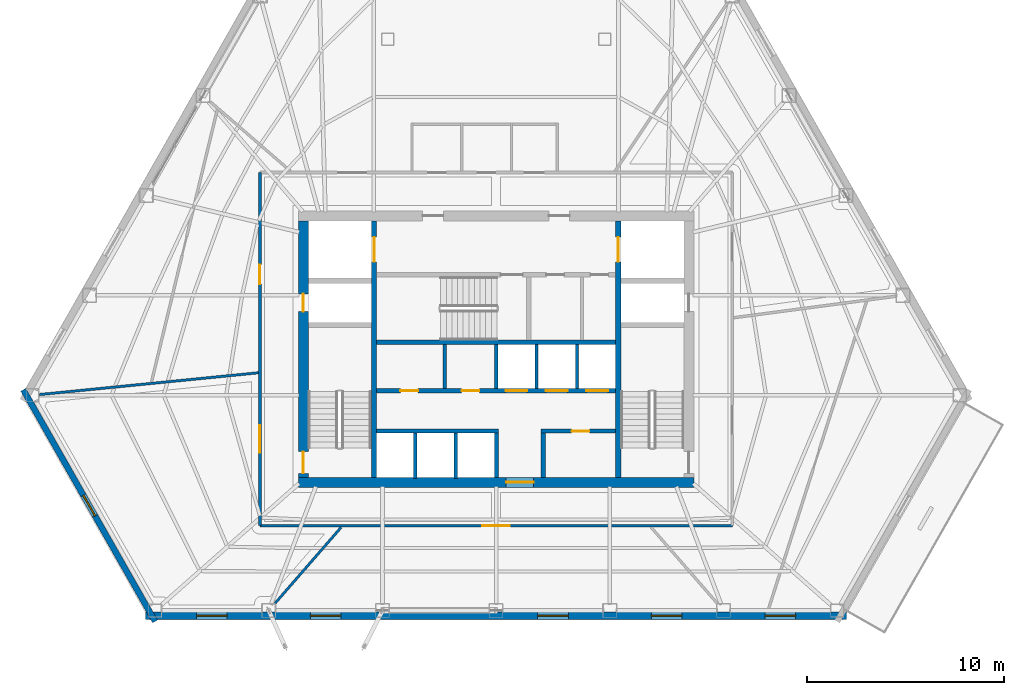
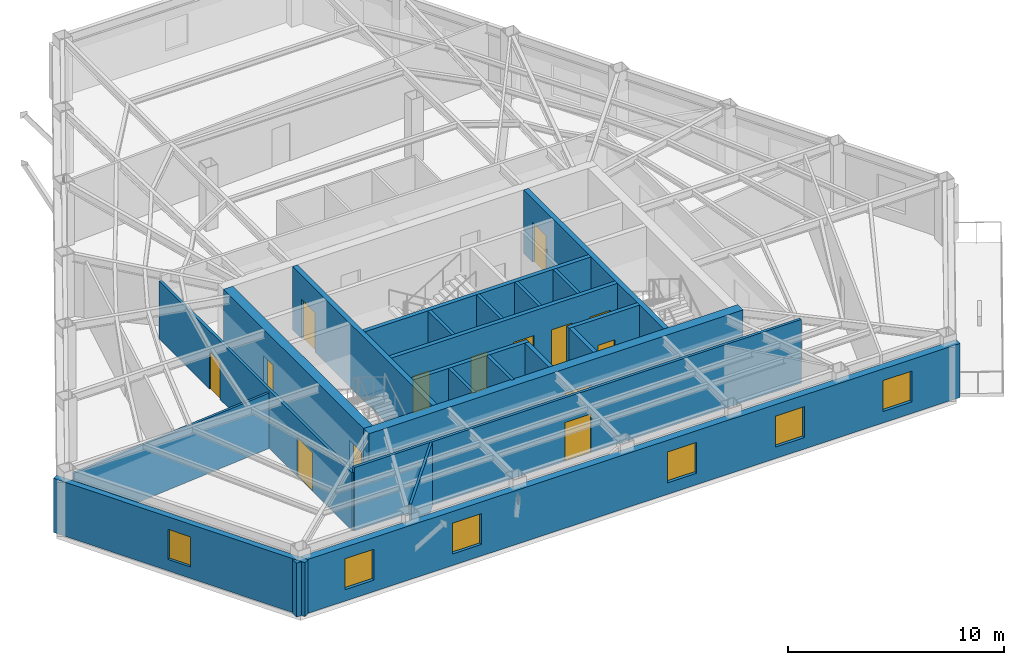
# One storey, part 7 of 12: 22 walls, 14 doors, 6 windows, 20 openings.
"""IFC4 building model written with IfcOpenShell, lengths in metres."""

from ifc_helpers import new_model, si_unit, direction, frame, frame_2d, origin, place, context, subcontext, project, spatial, rectangle, extrude, material, layer, layer_set, type_object, element, fill, save


model = new_model("IFC4")

# Units and contexts
model_context = context("Model", 3, precision=1e-05, world=origin(), true_north=direction((0.0, 1.0)))
body_context = subcontext(model_context, "Body", "Model", "MODEL_VIEW")
ifc_project = project(units=[si_unit("LENGTHUNIT", "METRE"), si_unit("AREAUNIT", "SQUARE_METRE"), si_unit("VOLUMEUNIT", "CUBIC_METRE"), si_unit("PLANEANGLEUNIT", "RADIAN"), si_unit("MASSUNIT", "GRAM", prefix="KILO")], contexts=[model_context])

# Site, building, storey
site_placement = place(None, origin())
site = spatial("IfcSite", under=ifc_project, at=site_placement, CompositionType="ELEMENT")
building_placement = place(site_placement, origin())
building = spatial("IfcBuilding", under=site, at=building_placement, Name="Kavelnor Concourse Tower", CompositionType="ELEMENT")
storey_placement = place(building_placement, frame((0.0, 0.0, 93.199951171875)))
storey = spatial("IfcBuildingStorey", under=building, at=storey_placement, Name="L23", CompositionType="ELEMENT", Elevation=93.199951171875)

# Wall, opening, door
ifc_material_1 = material(Name="Concrete C60/75", Category="concrete")
ifc_layer_1 = layer(ifc_material_1, 0.5, Name="Concrete C60/75")
ifc_layer_set_1 = layer_set([ifc_layer_1], Name="Concrete C60/75")
wall_type_1 = type_object("IfcWallType", Name="WL-CORE-Z2-500", PredefinedType="SOLIDWALL", material=ifc_layer_set_1)
wall_1_placement = place(storey_placement, frame((27.97998046875, 9.35009765625, 0.0), z_axis=(0.0, 0.0, 1.0), x_axis=(1.0, 0.0, 0.0)))
wall_1 = element("IfcWall", 1, at=wall_1_placement, inside=storey, type_object=wall_type_1, Name="L23 Central Core South Shear Wall", PredefinedType="SOLIDWALL", context=body_context, shape_type="SweptSolid", body=[
    extrude(rectangle(XDim=20.0400390625, YDim=0.5, at=frame_2d((10.02001953125, 0.0))), origin(), (0.0, 0.0, 1.0), 3.60009765625),
])
opening_1_placement = place(wall_1_placement, frame((10.52001953125, 0.0, 0.0)))
opening_1 = element("IfcOpeningElement", 2, at=opening_1_placement, cuts=wall_1, Name="Opening SD-140", PredefinedType="OPENING", context=body_context, shape_type="SweptSolid", body=[
    extrude(rectangle(XDim=1.39990234375, YDim=2.199951171875, at=frame_2d((0.699951171875, 1.10009765625))), frame((0.0, 0.260009765625, 0.0), z_axis=(0.0, -1.0, 0.0), x_axis=(1.0, 0.0, 0.0)), (0.0, 0.0, 1.0), 0.52001953125),
])
ifc_material_2 = material(Name="Solid-core hardwood timber", Category="wood")
door_type_1 = type_object("IfcDoorType", Name="DR-SUITE-ENTRY-1400", OperationType="NOTDEFINED", PredefinedType="DOOR", material=ifc_material_2)
door_1_placement = place(opening_1_placement, origin())
door_1 = element("IfcDoor", 3, at=door_1_placement, inside=storey, type_object=door_type_1, Name="L23 Passenger Lift Lobby Entry Door", OperationType="SINGLE_SWING_RIGHT", OverallHeight=2.199951171875, OverallWidth=1.39990234375, PredefinedType="DOOR", context=body_context, shape_type="SweptSolid", body=[
    extrude(rectangle(XDim=1.39990234375, YDim=2.199951171875, at=frame_2d((0.699951171875, 1.10009765625))), frame((0.0, 0.02490234375, 0.0), z_axis=(0.0, -1.0, 0.0), x_axis=(1.0, 0.0, 0.0)), (0.0, 0.0, 1.0), 0.050048828125),
])
fill(opening_1, door_1)

# Wall, openings, doors
wall_2_placement = place(storey_placement, frame((28.22998046875, 9.60009765625, 0.0), z_axis=(0.0, 0.0, 1.0), x_axis=(0.0, 1.0, 0.0)))
wall_2 = element("IfcWall", 4, at=wall_2_placement, inside=storey, type_object=wall_type_1, Name="L23 Central Core West Shear Wall", PredefinedType="SOLIDWALL", context=body_context, shape_type="SweptSolid", body=[
    extrude(rectangle(XDim=13.0, YDim=0.5, at=frame_2d((6.5, 0.0))), origin(), (0.0, 0.0, 1.0), 3.60009765625),
])
opening_2_placement = place(wall_2_placement, frame((0.199951171875, 0.0, 0.0)))
opening_2 = element("IfcOpeningElement", 5, at=opening_2_placement, cuts=wall_2, Name="Opening FD-110", PredefinedType="OPENING", context=body_context, shape_type="SweptSolid", body=[
    extrude(rectangle(XDim=1.10009765625, YDim=2.14990234375, at=frame_2d((0.550048828125, 1.074951171875))), frame((0.0, 0.260009765625, 0.0), z_axis=(0.0, -1.0, 0.0), x_axis=(1.0, 0.0, 0.0)), (0.0, 0.0, 1.0), 0.52001953125),
])
opening_3_placement = place(wall_2_placement, frame((8.39990234375, 0.0, 0.0)))
opening_3 = element("IfcOpeningElement", 6, at=opening_3_placement, cuts=wall_2, Name="Opening FD-090", PredefinedType="OPENING", context=body_context, shape_type="SweptSolid", body=[
    extrude(rectangle(XDim=0.89990234375, YDim=2.10009765625, at=frame_2d((0.449951171875, 1.050048828125))), frame((0.0, 0.260009765625, 0.0), z_axis=(0.0, -1.0, 0.0), x_axis=(1.0, 0.0, 0.0)), (0.0, 0.0, 1.0), 0.52001953125),
])
ifc_material_3 = material(Name="Steel Grade 350", Category="steel")
door_type_2 = type_object("IfcDoorType", Name="DR-RISER-FIRE-900", OperationType="NOTDEFINED", PredefinedType="DOOR", material=ifc_material_3)
door_2_placement = place(opening_3_placement, origin())
door_2 = element("IfcDoor", 7, at=door_2_placement, inside=storey, type_object=door_type_2, Name="L23 West Riser Access Door", OperationType="SINGLE_SWING_RIGHT", OverallHeight=2.10009765625, OverallWidth=0.89990234375, PredefinedType="DOOR", context=body_context, shape_type="SweptSolid", body=[
    extrude(rectangle(XDim=0.89990234375, YDim=2.10009765625, at=frame_2d((0.449951171875, 1.050048828125))), frame((0.0, 0.02490234375, 0.0), z_axis=(0.0, -1.0, 0.0), x_axis=(1.0, 0.0, 0.0)), (0.0, 0.0, 1.0), 0.050048828125),
])
fill(opening_3, door_2)
door_type_3 = type_object("IfcDoorType", Name="DR-STAIR-FIRE-1100", OperationType="NOTDEFINED", PredefinedType="DOOR", material=ifc_material_3)
door_3_placement = place(opening_2_placement, origin())
door_3 = element("IfcDoor", 8, at=door_3_placement, inside=storey, type_object=door_type_3, Name="L23 Stair ST1 Fire Door", OperationType="SINGLE_SWING_LEFT", OverallHeight=2.14990234375, OverallWidth=1.10009765625, PredefinedType="DOOR", context=body_context, shape_type="SweptSolid", body=[
    extrude(rectangle(XDim=1.10009765625, YDim=2.14990234375, at=frame_2d((0.550048828125, 1.074951171875))), frame((0.0, 0.02490234375, 0.0), z_axis=(0.0, -1.0, 0.0), x_axis=(1.0, 0.0, 0.0)), (0.0, 0.0, 1.0), 0.050048828125),
])
fill(opening_2, door_3)

# Wall, opening, window
ifc_material_4 = material(Name="Buff ironspot clay face brick masonry", Category="masonry")
ifc_layer_2 = layer(ifc_material_4, 0.300048828125, Name="Buff ironspot clay face brick masonry")
ifc_layer_set_2 = layer_set([ifc_layer_2], Name="Buff ironspot clay face brick masonry")
wall_type_2 = type_object("IfcWallType", Name="WL-EXT-BUFF-BRICK-FOLD-300", PredefinedType="STANDARD", material=ifc_layer_set_2)
wall_3_placement = place(storey_placement, frame((20.7138671875, 2.2998046875, 0.0), z_axis=(0.0, 0.0, 1.0), x_axis=(-0.494645467688, 0.869094851726, 0.0)))
wall_3 = element("IfcWall", 9, at=wall_3_placement, inside=storey, type_object=wall_type_2, Name="L23 Exterior Brick Facade Wall E2", PredefinedType="STANDARD", context=body_context, shape_type="SweptSolid", body=[
    extrude(rectangle(XDim=13.509521484375, YDim=0.300048828125, at=frame_2d((6.7548828125, 0.0))), origin(), (0.0, 0.0, 1.0), 3.05908203125),
])
opening_4_placement = place(wall_3_placement, frame((6.15478515625, 0.0, 0.64990234375)))
opening_4 = element("IfcOpeningElement", 10, at=opening_4_placement, cuts=wall_3, Name="Opening W-05", PredefinedType="OPENING", context=body_context, shape_type="SweptSolid", body=[
    extrude(rectangle(XDim=1.199951171875, YDim=1.699951171875, at=frame_2d((0.60009765625, 0.85009765625))), frame((0.0, 0.16015625, 0.0), z_axis=(0.0, -1.0, 0.0), x_axis=(1.0, 0.0, 0.0)), (0.0, 0.0, 1.0), 0.320068359375),
])
ifc_material_5 = material(Name="Double low-E argon insulated glazing", Category="glass")
window_type_1 = type_object("IfcWindowType", Name="WIN-FOLD-1200", PartitioningType="SINGLE_PANEL", PredefinedType="WINDOW", material=ifc_material_5)
window_1_placement = place(opening_4_placement, origin())
window_1 = element("IfcWindow", 11, at=window_1_placement, inside=storey, type_object=window_type_1, Name="L23 Chamfer-Fold Facet Window C1", OverallHeight=1.699951171875, OverallWidth=1.199951171875, PartitioningType="SINGLE_PANEL", PredefinedType="WINDOW", context=body_context, shape_type="SweptSolid", body=[
    extrude(rectangle(XDim=1.199951171875, YDim=1.699951171875, at=frame_2d((0.60009765625, 0.85009765625))), frame((0.0, 0.030029296875, 0.0), z_axis=(0.0, -1.0, 0.0), x_axis=(1.0, 0.0, 0.0)), (0.0, 0.0, 1.0), 0.06005859375),
])
fill(opening_4, window_1)

# Wall, openings, windows
ifc_material_6 = material(Name="Red-ochre clay face brick masonry", Category="masonry")
ifc_layer_3 = layer(ifc_material_6, 0.3798828125, Name="Red-ochre clay face brick masonry")
ifc_layer_set_3 = layer_set([ifc_layer_3], Name="Red-ochre clay face brick masonry")
wall_type_3 = type_object("IfcWallType", Name="WL-EXT-RED-BRICK-PIER-380", PredefinedType="STANDARD", material=ifc_layer_set_3)
wall_4_placement = place(storey_placement, frame((55.767578125, 2.57958984375, 0.0), z_axis=(0.0, 0.0, 1.0), x_axis=(-1.0, 0.0, 0.0)))
wall_4 = element("IfcWall", 12, at=wall_4_placement, inside=storey, type_object=wall_type_3, Name="L23 Exterior Brick Facade Wall E3", PredefinedType="STANDARD", context=body_context, shape_type="SweptSolid", body=[
    extrude(rectangle(XDim=35.53515625, YDim=0.3798828125, at=frame_2d((17.767578125, 0.0))), origin(), (0.0, 0.0, 1.0), 3.05908203125),
])
opening_5_placement = place(wall_4_placement, frame((31.3994140625, 0.0, 0.64990234375)))
opening_5 = element("IfcOpeningElement", 13, at=opening_5_placement, cuts=wall_4, Name="Opening W-02", PredefinedType="OPENING", context=body_context, shape_type="SweptSolid", body=[
    extrude(rectangle(XDim=1.550048828125, YDim=1.75, at=frame_2d((0.77490234375, 0.875))), frame((0.0, 0.199951171875, 0.0), z_axis=(0.0, -1.0, 0.0), x_axis=(1.0, 0.0, 0.0)), (0.0, 0.0, 1.0), 0.39990234375),
])
opening_6_placement = place(wall_4_placement, frame((25.63671875, 0.0, 0.64990234375)))
opening_6 = element("IfcOpeningElement", 14, at=opening_6_placement, cuts=wall_4, Name="Opening W-02", PredefinedType="OPENING", context=body_context, shape_type="SweptSolid", body=[
    extrude(rectangle(XDim=1.550048828125, YDim=1.75, at=frame_2d((0.77490234375, 0.875))), frame((0.0, 0.199951171875, 0.0), z_axis=(0.0, -1.0, 0.0), x_axis=(1.0, 0.0, 0.0)), (0.0, 0.0, 1.0), 0.39990234375),
])
opening_7_placement = place(wall_4_placement, frame((14.111083984375, 0.0, 0.64990234375)))
opening_7 = element("IfcOpeningElement", 15, at=opening_7_placement, cuts=wall_4, Name="Opening W-02", PredefinedType="OPENING", context=body_context, shape_type="SweptSolid", body=[
    extrude(rectangle(XDim=1.550048828125, YDim=1.75, at=frame_2d((0.77490234375, 0.875))), frame((0.0, 0.199951171875, 0.0), z_axis=(0.0, -1.0, 0.0), x_axis=(1.0, 0.0, 0.0)), (0.0, 0.0, 1.0), 0.39990234375),
])
opening_8_placement = place(wall_4_placement, frame((8.348388671875, 0.0, 0.64990234375)))
opening_8 = element("IfcOpeningElement", 16, at=opening_8_placement, cuts=wall_4, Name="Opening W-02", PredefinedType="OPENING", context=body_context, shape_type="SweptSolid", body=[
    extrude(rectangle(XDim=1.550048828125, YDim=1.75, at=frame_2d((0.77490234375, 0.875))), frame((0.0, 0.199951171875, 0.0), z_axis=(0.0, -1.0, 0.0), x_axis=(1.0, 0.0, 0.0)), (0.0, 0.0, 1.0), 0.39990234375),
])
opening_9_placement = place(wall_4_placement, frame((2.58544921875, 0.0, 0.64990234375)))
opening_9 = element("IfcOpeningElement", 17, at=opening_9_placement, cuts=wall_4, Name="Opening W-02", PredefinedType="OPENING", context=body_context, shape_type="SweptSolid", body=[
    extrude(rectangle(XDim=1.550048828125, YDim=1.75, at=frame_2d((0.77490234375, 0.875))), frame((0.0, 0.199951171875, 0.0), z_axis=(0.0, -1.0, 0.0), x_axis=(1.0, 0.0, 0.0)), (0.0, 0.0, 1.0), 0.39990234375),
])
window_type_2 = type_object("IfcWindowType", Name="WIN-PIER-Z2-1650", PartitioningType="SINGLE_PANEL", PredefinedType="WINDOW", material=ifc_material_5)
window_2_placement = place(opening_5_placement, origin())
window_2 = element("IfcWindow", 18, at=window_2_placement, inside=storey, type_object=window_type_2, Name="L23 Deep-Set Brick Pier Window F1-B0", OverallHeight=1.75, OverallWidth=1.550048828125, PartitioningType="SINGLE_PANEL", PredefinedType="WINDOW", context=body_context, shape_type="SweptSolid", body=[
    extrude(rectangle(XDim=1.550048828125, YDim=1.75, at=frame_2d((0.77490234375, 0.875))), frame((0.0, 0.030029296875, 0.0), z_axis=(0.0, -1.0, 0.0), x_axis=(1.0, 0.0, 0.0)), (0.0, 0.0, 1.0), 0.06005859375),
])
fill(opening_5, window_2)
window_3_placement = place(opening_6_placement, origin())
window_3 = element("IfcWindow", 19, at=window_3_placement, inside=storey, type_object=window_type_2, Name="L23 Deep-Set Brick Pier Window F1-B1", OverallHeight=1.75, OverallWidth=1.550048828125, PartitioningType="SINGLE_PANEL", PredefinedType="WINDOW", context=body_context, shape_type="SweptSolid", body=[
    extrude(rectangle(XDim=1.550048828125, YDim=1.75, at=frame_2d((0.77490234375, 0.875))), frame((0.0, 0.030029296875, 0.0), z_axis=(0.0, -1.0, 0.0), x_axis=(1.0, 0.0, 0.0)), (0.0, 0.0, 1.0), 0.06005859375),
])
fill(opening_6, window_3)
window_4_placement = place(opening_7_placement, origin())
window_4 = element("IfcWindow", 20, at=window_4_placement, inside=storey, type_object=window_type_2, Name="L23 Deep-Set Brick Pier Window F1-B3", OverallHeight=1.75, OverallWidth=1.550048828125, PartitioningType="SINGLE_PANEL", PredefinedType="WINDOW", context=body_context, shape_type="SweptSolid", body=[
    extrude(rectangle(XDim=1.550048828125, YDim=1.75, at=frame_2d((0.77490234375, 0.875))), frame((0.0, 0.030029296875, 0.0), z_axis=(0.0, -1.0, 0.0), x_axis=(1.0, 0.0, 0.0)), (0.0, 0.0, 1.0), 0.06005859375),
])
fill(opening_7, window_4)
window_5_placement = place(opening_8_placement, origin())
window_5 = element("IfcWindow", 21, at=window_5_placement, inside=storey, type_object=window_type_2, Name="L23 Deep-Set Brick Pier Window F1-B4", OverallHeight=1.75, OverallWidth=1.550048828125, PartitioningType="SINGLE_PANEL", PredefinedType="WINDOW", context=body_context, shape_type="SweptSolid", body=[
    extrude(rectangle(XDim=1.550048828125, YDim=1.75, at=frame_2d((0.77490234375, 0.875))), frame((0.0, 0.030029296875, 0.0), z_axis=(0.0, -1.0, 0.0), x_axis=(1.0, 0.0, 0.0)), (0.0, 0.0, 1.0), 0.06005859375),
])
fill(opening_8, window_5)
window_6_placement = place(opening_9_placement, origin())
window_6 = element("IfcWindow", 22, at=window_6_placement, inside=storey, type_object=window_type_2, Name="L23 Deep-Set Brick Pier Window F1-B5", OverallHeight=1.75, OverallWidth=1.550048828125, PartitioningType="SINGLE_PANEL", PredefinedType="WINDOW", context=body_context, shape_type="SweptSolid", body=[
    extrude(rectangle(XDim=1.550048828125, YDim=1.75, at=frame_2d((0.77490234375, 0.875))), frame((0.0, 0.030029296875, 0.0), z_axis=(0.0, -1.0, 0.0), x_axis=(1.0, 0.0, 0.0)), (0.0, 0.0, 1.0), 0.06005859375),
])
fill(opening_9, window_6)

# Wall, openings, doors
ifc_material_7 = material(Name="Gypsum plasterboard on light-gauge steel studs", Category="steel")
ifc_layer_4 = layer(ifc_material_7, 0.14501953125, Name="Gypsum plasterboard on light-gauge steel studs")
ifc_layer_set_4 = layer_set([ifc_layer_4], Name="Gypsum plasterboard on light-gauge steel studs")
wall_type_4 = type_object("IfcWallType", Name="WL-INT-CORR-145", PredefinedType="PARTITIONING", material=ifc_layer_set_4)
wall_5_placement = place(storey_placement, frame((26.030029296875, 25.050048828125, 0.0), z_axis=(0.0, 0.0, 1.0), x_axis=(0.0, -1.0, 0.0)))
wall_5 = element("IfcWall", 23, at=wall_5_placement, inside=storey, type_object=wall_type_4, Name="L23 Corridor Wall WL-L23-CR-03", PredefinedType="PARTITIONING", context=body_context, shape_type="SweptSolid", body=[
    extrude(rectangle(XDim=17.900146484375, YDim=0.14501953125, at=frame_2d((8.9501953125, 0.0))), origin(), (0.0, 0.0, 1.0), 3.2880859375),
])
opening_10_placement = place(wall_5_placement, frame((4.669677734375, 0.0, 0.0)))
opening_10 = element("IfcOpeningElement", 24, at=opening_10_placement, cuts=wall_5, Name="Opening OD-098", PredefinedType="OPENING", context=body_context, shape_type="SweptSolid", body=[
    extrude(rectangle(XDim=0.97998046875, YDim=2.14990234375, at=frame_2d((0.489990234375, 1.074951171875))), frame((0.0, 0.08251953125, 0.0), z_axis=(0.0, -1.0, 0.0), x_axis=(1.0, 0.0, 0.0)), (0.0, 0.0, 1.0), 0.1650390625),
])
opening_11_placement = place(wall_5_placement, frame((12.798828125, 0.0, 0.0)))
opening_11 = element("IfcOpeningElement", 25, at=opening_11_placement, cuts=wall_5, Name="Opening SD-140", PredefinedType="OPENING", context=body_context, shape_type="SweptSolid", body=[
    extrude(rectangle(XDim=1.39990234375, YDim=2.199951171875, at=frame_2d((0.699951171875, 1.10009765625))), frame((0.0, 0.08251953125, 0.0), z_axis=(0.0, -1.0, 0.0), x_axis=(1.0, 0.0, 0.0)), (0.0, 0.0, 1.0), 0.1650390625),
])
door_type_4 = type_object("IfcDoorType", Name="DR-OFFICE-980", OperationType="NOTDEFINED", PredefinedType="DOOR", material=ifc_material_2)
door_4_placement = place(opening_10_placement, origin())
door_4 = element("IfcDoor", 26, at=door_4_placement, inside=storey, type_object=door_type_4, Name="L23 Building Staff Breakroom 04 Door", OperationType="SINGLE_SWING_RIGHT", OverallHeight=2.14990234375, OverallWidth=0.97998046875, PredefinedType="DOOR", context=body_context, shape_type="SweptSolid", body=[
    extrude(rectangle(XDim=0.97998046875, YDim=2.14990234375, at=frame_2d((0.489990234375, 1.074951171875))), frame((0.0, 0.02490234375, 0.0), z_axis=(0.0, -1.0, 0.0), x_axis=(1.0, 0.0, 0.0)), (0.0, 0.0, 1.0), 0.050048828125),
])
fill(opening_10, door_4)
door_5_placement = place(opening_11_placement, origin())
door_5 = element("IfcDoor", 27, at=door_5_placement, inside=storey, type_object=door_type_1, Name="L23 Building Staff Breakroom 06 Door", OperationType="SINGLE_SWING_RIGHT", OverallHeight=2.199951171875, OverallWidth=1.39990234375, PredefinedType="DOOR", context=body_context, shape_type="SweptSolid", body=[
    extrude(rectangle(XDim=1.39990234375, YDim=2.199951171875, at=frame_2d((0.699951171875, 1.10009765625))), frame((0.0, 0.02490234375, 0.0), z_axis=(0.0, -1.0, 0.0), x_axis=(1.0, 0.0, 0.0)), (0.0, 0.0, 1.0), 0.050048828125),
])
fill(opening_11, door_5)

# Wall, opening, door
wall_6_placement = place(storey_placement, frame((26.030029296875, 7.14990234375, 0.0), z_axis=(0.0, 0.0, 1.0), x_axis=(1.0, 0.0, 0.0)))
wall_6 = element("IfcWall", 28, at=wall_6_placement, inside=storey, type_object=wall_type_4, Name="L23 Corridor Wall WL-L23-CR-04", PredefinedType="PARTITIONING", context=body_context, shape_type="SweptSolid", body=[
    extrude(rectangle(XDim=23.93994140625, YDim=0.14501953125, at=frame_2d((11.969970703125, 0.0))), origin(), (0.0, 0.0, 1.0), 3.60009765625),
])
opening_12_placement = place(wall_6_placement, frame((11.27001953125, 0.0, 0.0)))
opening_12 = element("IfcOpeningElement", 29, at=opening_12_placement, cuts=wall_6, Name="Opening SD-140", PredefinedType="OPENING", context=body_context, shape_type="SweptSolid", body=[
    extrude(rectangle(XDim=1.39990234375, YDim=2.199951171875, at=frame_2d((0.699951171875, 1.10009765625))), frame((0.0, 0.08251953125, 0.0), z_axis=(0.0, -1.0, 0.0), x_axis=(1.0, 0.0, 0.0)), (0.0, 0.0, 1.0), 0.1650390625),
])
door_6_placement = place(opening_12_placement, origin())
door_6 = element("IfcDoor", 30, at=door_6_placement, inside=storey, type_object=door_type_1, Name="L23 Workplace Open Office 07 Door", OperationType="SINGLE_SWING_LEFT", OverallHeight=2.199951171875, OverallWidth=1.39990234375, PredefinedType="DOOR", context=body_context, shape_type="SweptSolid", body=[
    extrude(rectangle(XDim=1.39990234375, YDim=2.199951171875, at=frame_2d((0.699951171875, 1.10009765625))), frame((0.0, 0.02490234375, 0.0), z_axis=(0.0, -1.0, 0.0), x_axis=(1.0, 0.0, 0.0)), (0.0, 0.0, 1.0), 0.050048828125),
])
fill(opening_12, door_6)

# Walls
ifc_layer_5 = layer(ifc_material_7, 0.1650390625, Name="Gypsum plasterboard on light-gauge steel studs")
ifc_layer_set_5 = layer_set([ifc_layer_5], Name="Gypsum plasterboard on light-gauge steel studs")
wall_type_5 = type_object("IfcWallType", Name="WL-INT-FIRE-165", PredefinedType="PARTITIONING", material=ifc_layer_set_5)
for number, where, z_axis, x_axis, name in (
    (31, (33.89990234375, 9.550048828125, 0.0), (0.0, 0.0, 1.0), (0.0, 1.0, 0.0), "L23 Lift Shaft Divider LP7"),
    (32, (35.949951171875, 9.550048828125, 0.0), (0.0, 0.0, 1.0), (0.0, 1.0, 0.0), "L23 Lift Shaft Divider LP8"),
):
    element("IfcWall", number, at=place(storey_placement, frame(where, z_axis=z_axis, x_axis=x_axis)), inside=storey, type_object=wall_type_5, Name=name, PredefinedType="PARTITIONING", context=body_context, shape_type="SweptSolid", body=[
        extrude(rectangle(XDim=2.2900390625, YDim=0.1650390625, at=frame_2d((1.14501953125, 0.0))), origin(), (0.0, 0.0, 1.0), 3.60009765625),
    ])
for number, where, z_axis, x_axis, name in (
    (33, (38.0, 14.10009765625, 0.0), (0.0, 0.0, 1.0), (0.0, 1.0, 0.0), "L23 Reclaimed Core Zone Partition"),
    (34, (35.39990234375, 14.10009765625, 0.0), (0.0, 0.0, 1.0), (0.0, 1.0, 0.0), "L23 Reclaimed Core Split Wall"),
    (35, (40.050048828125, 14.10009765625, 0.0), (0.0, 0.0, 1.0), (0.0, 1.0, 0.0), "L23 Lift Shaft Divider LP4"),
    (36, (42.10009765625, 14.10009765625, 0.0), (0.0, 0.0, 1.0), (0.0, 1.0, 0.0), "L23 Lift Shaft Divider LP5"),
):
    element("IfcWall", number, at=place(storey_placement, frame(where, z_axis=z_axis, x_axis=x_axis)), inside=storey, type_object=wall_type_5, Name=name, PredefinedType="PARTITIONING", context=body_context, shape_type="SweptSolid", body=[
        extrude(rectangle(XDim=2.239990234375, YDim=0.1650390625, at=frame_2d((1.1201171875, 0.0))), origin(), (0.0, 0.0, 1.0), 3.60009765625),
    ])
ifc_layer_6 = layer(ifc_material_7, 0.125, Name="Gypsum plasterboard on light-gauge steel studs")
ifc_layer_set_6 = layer_set([ifc_layer_6], Name="Gypsum plasterboard on light-gauge steel studs")
wall_type_6 = type_object("IfcWallType", Name="WL-INT-SUITE-125", PredefinedType="PARTITIONING", material=ifc_layer_set_6)
wall_7_placement = place(storey_placement, frame((25.949462890625, 14.901611328125, 0.0), z_axis=(0.0, 0.0, 1.0), x_axis=(-0.995091212478, -0.0989620071, 0.0)))
element("IfcWall", 37, at=wall_7_placement, inside=storey, type_object=wall_type_6, Name="L23 Radial Suite Partition 04", PredefinedType="PARTITIONING", context=body_context, shape_type="SweptSolid", body=[
    extrude(rectangle(XDim=11.15576171875, YDim=0.125, at=frame_2d((5.577880859375, 0.0))), origin(), (0.0, 0.0, 1.0), 3.14111328125),
])
wall_8_placement = place(storey_placement, frame((30.14501953125, 7.069580078125, 0.0), z_axis=(0.0, 0.0, 1.0), x_axis=(-0.656311309617, -0.75449020197, 0.0)))
element("IfcWall", 38, at=wall_8_placement, inside=storey, type_object=wall_type_6, Name="L23 Radial Suite Partition 05", PredefinedType="PARTITIONING", context=body_context, shape_type="SweptSolid", body=[
    extrude(rectangle(XDim=5.105224609375, YDim=0.125, at=frame_2d((2.552734375, 0.0))), origin(), (0.0, 0.0, 1.0), 3.60009765625),
])
ifc_material_8 = material(Name="Concrete C50/60", Category="concrete")
ifc_layer_7 = layer(ifc_material_8, 0.219970703125, Name="Concrete C50/60")
ifc_layer_set_7 = layer_set([ifc_layer_7], Name="Concrete C50/60")
wall_type_7 = type_object("IfcWallType", Name="WL-SHAFT-220", PredefinedType="SOLIDWALL", material=ifc_layer_set_7)
wall_9_placement = place(storey_placement, frame((31.93994140625, 16.449951171875, 0.0), z_axis=(0.0, 0.0, 1.0), x_axis=(1.0, 0.0, 0.0)))
element("IfcWall", 39, at=wall_9_placement, inside=storey, type_object=wall_type_7, Name="L23 Stair ST3 South Core Wall", PredefinedType="SOLIDWALL", context=body_context, shape_type="SweptSolid", body=[
    extrude(rectangle(XDim=12.1201171875, YDim=0.219970703125, at=frame_2d((6.06005859375, 0.0))), origin(), (0.0, 0.0, 1.0), 3.60009765625),
])

# Wall, openings, doors
wall_10_placement = place(storey_placement, frame((31.93994140625, 13.989990234375, 0.0), z_axis=(0.0, 0.0, 1.0), x_axis=(1.0, 0.0, 0.0)))
wall_10 = element("IfcWall", 40, at=wall_10_placement, inside=storey, type_object=wall_type_7, Name="L23 North Lift Row Shaft Wall", PredefinedType="SOLIDWALL", context=body_context, shape_type="SweptSolid", body=[
    extrude(rectangle(XDim=12.1201171875, YDim=0.219970703125, at=frame_2d((6.06005859375, 0.0))), origin(), (0.0, 0.0, 1.0), 3.60009765625),
])
opening_13_placement = place(wall_10_placement, frame((1.2099609375, 0.0, 0.0)))
opening_13 = element("IfcOpeningElement", 41, at=opening_13_placement, cuts=wall_10, Name="Opening FD-090", PredefinedType="OPENING", context=body_context, shape_type="SweptSolid", body=[
    extrude(rectangle(XDim=0.89990234375, YDim=2.10009765625, at=frame_2d((0.449951171875, 1.050048828125))), frame((0.0, 0.1201171875, 0.0), z_axis=(0.0, -1.0, 0.0), x_axis=(1.0, 0.0, 0.0)), (0.0, 0.0, 1.0), 0.239990234375),
])
opening_14_placement = place(wall_10_placement, frame((4.31005859375, 0.0, 0.0)))
opening_14 = element("IfcOpeningElement", 42, at=opening_14_placement, cuts=wall_10, Name="Opening FD-090", PredefinedType="OPENING", context=body_context, shape_type="SweptSolid", body=[
    extrude(rectangle(XDim=0.89990234375, YDim=2.10009765625, at=frame_2d((0.449951171875, 1.050048828125))), frame((0.0, 0.1201171875, 0.0), z_axis=(0.0, -1.0, 0.0), x_axis=(1.0, 0.0, 0.0)), (0.0, 0.0, 1.0), 0.239990234375),
])
opening_15_placement = place(wall_10_placement, frame((6.534912109375, 0.0, 0.0)))
opening_15 = element("IfcOpeningElement", 43, at=opening_15_placement, cuts=wall_10, Name="Opening LD-110", PredefinedType="OPENING", context=body_context, shape_type="SweptSolid", body=[
    extrude(rectangle(XDim=1.10009765625, YDim=2.199951171875, at=frame_2d((0.550048828125, 1.10009765625))), frame((0.0, 0.1201171875, 0.0), z_axis=(0.0, -1.0, 0.0), x_axis=(1.0, 0.0, 0.0)), (0.0, 0.0, 1.0), 0.239990234375),
])
opening_16_placement = place(wall_10_placement, frame((8.5849609375, 0.0, 0.0)))
opening_16 = element("IfcOpeningElement", 44, at=opening_16_placement, cuts=wall_10, Name="Opening LD-110", PredefinedType="OPENING", context=body_context, shape_type="SweptSolid", body=[
    extrude(rectangle(XDim=1.10009765625, YDim=2.199951171875, at=frame_2d((0.550048828125, 1.10009765625))), frame((0.0, 0.1201171875, 0.0), z_axis=(0.0, -1.0, 0.0), x_axis=(1.0, 0.0, 0.0)), (0.0, 0.0, 1.0), 0.239990234375),
])
opening_17_placement = place(wall_10_placement, frame((10.635009765625, 0.0, 0.0)))
opening_17 = element("IfcOpeningElement", 45, at=opening_17_placement, cuts=wall_10, Name="Opening LD-110", PredefinedType="OPENING", context=body_context, shape_type="SweptSolid", body=[
    extrude(rectangle(XDim=1.10009765625, YDim=2.199951171875, at=frame_2d((0.550048828125, 1.10009765625))), frame((0.0, 0.1201171875, 0.0), z_axis=(0.0, -1.0, 0.0), x_axis=(1.0, 0.0, 0.0)), (0.0, 0.0, 1.0), 0.239990234375),
])
door_type_5 = type_object("IfcDoorType", Name="DR-LIFT-SLIDING-1100", OperationType="NOTDEFINED", PredefinedType="DOOR", material=ifc_material_3)
door_7_placement = place(opening_15_placement, origin())
door_7 = element("IfcDoor", 46, at=door_7_placement, inside=storey, type_object=door_type_5, Name="L23 Lift LP4 Landing Door", OperationType="DOUBLE_DOOR_SLIDING", OverallHeight=2.199951171875, OverallWidth=1.10009765625, PredefinedType="DOOR", context=body_context, shape_type="SweptSolid", body=[
    extrude(rectangle(XDim=1.10009765625, YDim=2.199951171875, at=frame_2d((0.550048828125, 1.10009765625))), frame((0.0, 0.02490234375, 0.0), z_axis=(0.0, -1.0, 0.0), x_axis=(1.0, 0.0, 0.0)), (0.0, 0.0, 1.0), 0.050048828125),
])
fill(opening_15, door_7)
door_8_placement = place(opening_16_placement, origin())
door_8 = element("IfcDoor", 47, at=door_8_placement, inside=storey, type_object=door_type_5, Name="L23 Lift LP5 Landing Door", OperationType="DOUBLE_DOOR_SLIDING", OverallHeight=2.199951171875, OverallWidth=1.10009765625, PredefinedType="DOOR", context=body_context, shape_type="SweptSolid", body=[
    extrude(rectangle(XDim=1.10009765625, YDim=2.199951171875, at=frame_2d((0.550048828125, 1.10009765625))), frame((0.0, 0.02490234375, 0.0), z_axis=(0.0, -1.0, 0.0), x_axis=(1.0, 0.0, 0.0)), (0.0, 0.0, 1.0), 0.050048828125),
])
fill(opening_16, door_8)
door_9_placement = place(opening_17_placement, origin())
door_9 = element("IfcDoor", 48, at=door_9_placement, inside=storey, type_object=door_type_5, Name="L23 Lift LP6 Landing Door", OperationType="DOUBLE_DOOR_SLIDING", OverallHeight=2.199951171875, OverallWidth=1.10009765625, PredefinedType="DOOR", context=body_context, shape_type="SweptSolid", body=[
    extrude(rectangle(XDim=1.10009765625, YDim=2.199951171875, at=frame_2d((0.550048828125, 1.10009765625))), frame((0.0, 0.02490234375, 0.0), z_axis=(0.0, -1.0, 0.0), x_axis=(1.0, 0.0, 0.0)), (0.0, 0.0, 1.0), 0.050048828125),
])
fill(opening_17, door_9)
door_10_placement = place(opening_13_placement, origin())
door_10 = element("IfcDoor", 49, at=door_10_placement, inside=storey, type_object=door_type_2, Name="L23 Core Tea Pantry Door", OperationType="SINGLE_SWING_RIGHT", OverallHeight=2.10009765625, OverallWidth=0.89990234375, PredefinedType="DOOR", context=body_context, shape_type="SweptSolid", body=[
    extrude(rectangle(XDim=0.89990234375, YDim=2.10009765625, at=frame_2d((0.449951171875, 1.050048828125))), frame((0.0, 0.02490234375, 0.0), z_axis=(0.0, -1.0, 0.0), x_axis=(1.0, 0.0, 0.0)), (0.0, 0.0, 1.0), 0.050048828125),
])
fill(opening_13, door_10)
door_11_placement = place(opening_14_placement, origin())
door_11 = element("IfcDoor", 50, at=door_11_placement, inside=storey, type_object=door_type_2, Name="L23 Archive Store Door", OperationType="SINGLE_SWING_LEFT", OverallHeight=2.10009765625, OverallWidth=0.89990234375, PredefinedType="DOOR", context=body_context, shape_type="SweptSolid", body=[
    extrude(rectangle(XDim=0.89990234375, YDim=2.10009765625, at=frame_2d((0.449951171875, 1.050048828125))), frame((0.0, 0.02490234375, 0.0), z_axis=(0.0, -1.0, 0.0), x_axis=(1.0, 0.0, 0.0)), (0.0, 0.0, 1.0), 0.050048828125),
])
fill(opening_14, door_11)

# Wall
wall_11_placement = place(storey_placement, frame((31.93994140625, 11.949951171875, 0.0), z_axis=(0.0, 0.0, 1.0), x_axis=(1.0, 0.0, 0.0)))
element("IfcWall", 51, at=wall_11_placement, inside=storey, type_object=wall_type_7, Name="L23 High-Rise Lift Bank North Wall", PredefinedType="SOLIDWALL", context=body_context, shape_type="SweptSolid", body=[
    extrude(rectangle(XDim=6.18994140625, YDim=0.219970703125, at=frame_2d((3.094970703125, 0.0))), origin(), (0.0, 0.0, 1.0), 3.60009765625),
])

# Wall, opening, door
wall_12_placement = place(storey_placement, frame((40.280029296875, 11.949951171875, 0.0), z_axis=(0.0, 0.0, 1.0), x_axis=(1.0, 0.0, 0.0)))
wall_12 = element("IfcWall", 52, at=wall_12_placement, inside=storey, type_object=wall_type_7, Name="L23 Core South Support North Wall", PredefinedType="SOLIDWALL", context=body_context, shape_type="SweptSolid", body=[
    extrude(rectangle(XDim=3.780029296875, YDim=0.219970703125, at=frame_2d((1.89013671875, 0.0))), origin(), (0.0, 0.0, 1.0), 3.60009765625),
])
opening_18_placement = place(wall_12_placement, frame((1.550048828125, 0.0, 0.0)))
opening_18 = element("IfcOpeningElement", 53, at=opening_18_placement, cuts=wall_12, Name="Opening FD-090", PredefinedType="OPENING", context=body_context, shape_type="SweptSolid", body=[
    extrude(rectangle(XDim=0.89990234375, YDim=2.10009765625, at=frame_2d((0.449951171875, 1.050048828125))), frame((0.0, 0.1201171875, 0.0), z_axis=(0.0, -1.0, 0.0), x_axis=(1.0, 0.0, 0.0)), (0.0, 0.0, 1.0), 0.239990234375),
])
door_12_placement = place(opening_18_placement, origin())
door_12 = element("IfcDoor", 54, at=door_12_placement, inside=storey, type_object=door_type_2, Name="L23 Core Utility Store Door", OperationType="SINGLE_SWING_LEFT", OverallHeight=2.10009765625, OverallWidth=0.89990234375, PredefinedType="DOOR", context=body_context, shape_type="SweptSolid", body=[
    extrude(rectangle(XDim=0.89990234375, YDim=2.10009765625, at=frame_2d((0.449951171875, 1.050048828125))), frame((0.0, 0.02490234375, 0.0), z_axis=(0.0, -1.0, 0.0), x_axis=(1.0, 0.0, 0.0)), (0.0, 0.0, 1.0), 0.050048828125),
])
fill(opening_18, door_12)

# Walls
for number, where, z_axis, x_axis, name in (
    (55, (38.02001953125, 9.60009765625, 0.0), (0.0, 0.0, 1.0), (0.0, 1.0, 0.0), "L23 Lift Lobby Throat West Wall"),
    (56, (40.389892578125, 9.60009765625, 0.0), (0.0, 0.0, 1.0), (0.0, 1.0, 0.0), "L23 Lift Lobby Throat East Wall"),
):
    element("IfcWall", number, at=place(storey_placement, frame(where, z_axis=z_axis, x_axis=x_axis)), inside=storey, type_object=wall_type_7, Name=name, PredefinedType="SOLIDWALL", context=body_context, shape_type="SweptSolid", body=[
        extrude(rectangle(XDim=2.239990234375, YDim=0.219970703125, at=frame_2d((1.1201171875, 0.0))), origin(), (0.0, 0.0, 1.0), 3.60009765625),
    ])

# Wall, opening, door
ifc_layer_8 = layer(ifc_material_8, 0.260009765625, Name="Concrete C50/60")
ifc_layer_set_8 = layer_set([ifc_layer_8], Name="Concrete C50/60")
wall_type_8 = type_object("IfcWallType", Name="WL-SHAFT-260", PredefinedType="SHEAR", material=ifc_layer_set_8)
wall_13_placement = place(storey_placement, frame((31.81005859375, 9.60009765625, 0.0), z_axis=(0.0, 0.0, 1.0), x_axis=(0.0, 1.0, 0.0)))
wall_13 = element("IfcWall", 57, at=wall_13_placement, inside=storey, type_object=wall_type_8, Name="L23 Core West Wing Shear Wall", PredefinedType="SHEAR", context=body_context, shape_type="SweptSolid", body=[
    extrude(rectangle(XDim=13.0, YDim=0.260009765625, at=frame_2d((6.5, 0.0))), origin(), (0.0, 0.0, 1.0), 3.60009765625),
])
opening_19_placement = place(wall_13_placement, frame((10.925048828125, 0.0, 0.0)))
opening_19 = element("IfcOpeningElement", 58, at=opening_19_placement, cuts=wall_13, Name="Opening LD-125", PredefinedType="OPENING", context=body_context, shape_type="SweptSolid", body=[
    extrude(rectangle(XDim=1.25, YDim=2.25, at=frame_2d((0.625, 1.125))), frame((0.0, 0.14013671875, 0.0), z_axis=(0.0, -1.0, 0.0), x_axis=(1.0, 0.0, 0.0)), (0.0, 0.0, 1.0), 0.280029296875),
])
door_type_6 = type_object("IfcDoorType", Name="DR-LIFT-SLIDING-1250", OperationType="NOTDEFINED", PredefinedType="DOOR", material=ifc_material_3)
door_13_placement = place(opening_19_placement, origin())
door_13 = element("IfcDoor", 59, at=door_13_placement, inside=storey, type_object=door_type_6, Name="L23 Emergency Lift FL1 Landing Door", OperationType="DOUBLE_DOOR_SLIDING", OverallHeight=2.25, OverallWidth=1.25, PredefinedType="DOOR", context=body_context, shape_type="SweptSolid", body=[
    extrude(rectangle(XDim=1.25, YDim=2.25, at=frame_2d((0.625, 1.125))), frame((0.0, 0.02490234375, 0.0), z_axis=(0.0, -1.0, 0.0), x_axis=(1.0, 0.0, 0.0)), (0.0, 0.0, 1.0), 0.050048828125),
])
fill(opening_19, door_13)

wall_14_placement = place(storey_placement, frame((44.18994140625, 9.60009765625, 0.0), z_axis=(0.0, 0.0, 1.0), x_axis=(0.0, 1.0, 0.0)))
wall_14 = element("IfcWall", 60, at=wall_14_placement, inside=storey, type_object=wall_type_8, Name="L23 Core East Wing Shear Wall", PredefinedType="SHEAR", context=body_context, shape_type="SweptSolid", body=[
    extrude(rectangle(XDim=13.0, YDim=0.260009765625, at=frame_2d((6.5, 0.0))), origin(), (0.0, 0.0, 1.0), 3.60009765625),
])
opening_20_placement = place(wall_14_placement, frame((10.925048828125, 0.0, 0.0)))
opening_20 = element("IfcOpeningElement", 61, at=opening_20_placement, cuts=wall_14, Name="Opening LD-125", PredefinedType="OPENING", context=body_context, shape_type="SweptSolid", body=[
    extrude(rectangle(XDim=1.25, YDim=2.25, at=frame_2d((0.625, 1.125))), frame((0.0, 0.14013671875, 0.0), z_axis=(0.0, -1.0, 0.0), x_axis=(1.0, 0.0, 0.0)), (0.0, 0.0, 1.0), 0.280029296875),
])
door_14_placement = place(opening_20_placement, origin())
door_14 = element("IfcDoor", 62, at=door_14_placement, inside=storey, type_object=door_type_6, Name="L23 Emergency Lift FL2 Landing Door", OperationType="DOUBLE_DOOR_SLIDING", OverallHeight=2.25, OverallWidth=1.25, PredefinedType="DOOR", context=body_context, shape_type="SweptSolid", body=[
    extrude(rectangle(XDim=1.25, YDim=2.25, at=frame_2d((0.625, 1.125))), frame((0.0, 0.02490234375, 0.0), z_axis=(0.0, -1.0, 0.0), x_axis=(1.0, 0.0, 0.0)), (0.0, 0.0, 1.0), 0.050048828125),
])
fill(opening_20, door_14)

save(model, "model.ifc")
